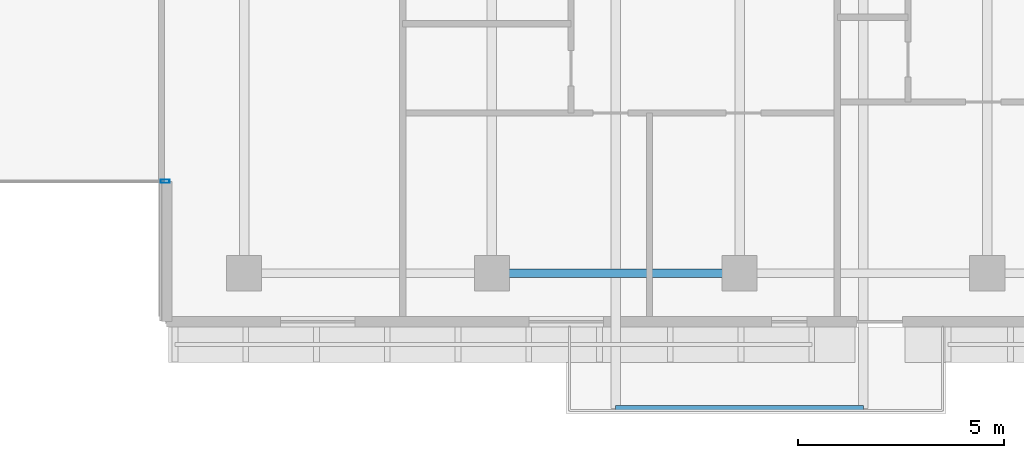
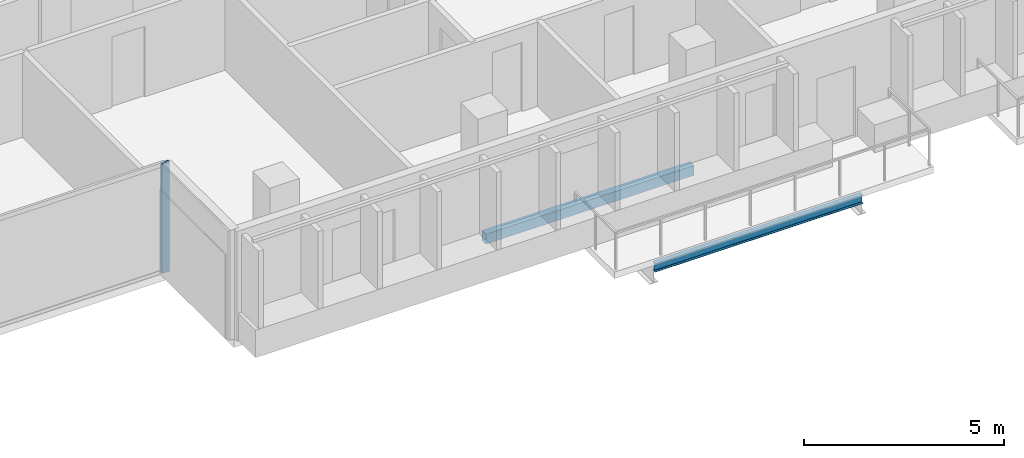
# One storey, part 6 of 31: 2 beams, 1 member, 1 element without a shape of its own.
"""IFC4 building model written with IfcOpenShell, lengths in metres."""

from ifc_helpers import new_model, si_unit, direction, frame, origin, origin_2d, place, context, subcontext, project, spatial, hollow_rectangle, i_section, extrude, material, layer, layer_set, material_profile, profile_set, type_object, element, aggregate, save


model = new_model("IFC4")

# Units and contexts
model_context = context("Model", 3, precision=1e-05, world=origin(), true_north=direction((0.0, 1.0)))
body_context = subcontext(model_context, "Body", "Model", "MODEL_VIEW")
ifc_project = project(units=[si_unit("LENGTHUNIT", "METRE"), si_unit("AREAUNIT", "SQUARE_METRE"), si_unit("VOLUMEUNIT", "CUBIC_METRE"), si_unit("PLANEANGLEUNIT", "RADIAN"), si_unit("MASSUNIT", "GRAM", prefix="KILO")], contexts=[model_context])

# Site, building, storey
site_placement = place(None, origin())
site = spatial("IfcSite", under=ifc_project, at=site_placement, CompositionType="ELEMENT")
building_placement = place(site_placement, origin())
building = spatial("IfcBuilding", under=site, at=building_placement, Name="Tanjung Sevakor Pilgrim Tower", CompositionType="ELEMENT")
storey_placement = place(building_placement, frame((0.0, 0.0, 169.2900390625)))
storey = spatial("IfcBuildingStorey", under=building, at=storey_placement, Name="L47", CompositionType="ELEMENT", Elevation=169.2900390625)

# Beams
ifc_material_1 = material(Name="Steel S355J2", Category="steel")
ifc_material_profile_1 = material_profile(ifc_material_1, i_section(OverallWidth=0.146484375, OverallDepth=0.256103515625, WebThickness=0.00634765625, FlangeThickness=0.010986328125, FilletRadius=0.007568359375, at=origin_2d()))
ifc_profile_set_1 = profile_set([ifc_material_profile_1], Name="Steel S355J2")
beam_type_1 = type_object("IfcBeamType", Name="BM-B-J6-UB_254x146x37", PredefinedType="JOIST", material=ifc_profile_set_1)
beam_1_placement = place(storey_placement, frame((63.0, 9.919921875, -0.328125), z_axis=(1.0, 0.0, 0.0), x_axis=(0.0, 1.0, 0.0)))
element("IfcBeam", 1, at=beam_1_placement, inside=storey, type_object=beam_type_1, Name="L47 Balcony Rim Tie MAIN-S2", PredefinedType="JOIST", context=body_context, shape_type="SweptSolid", body=[
    extrude(i_section(OverallWidth=0.146484375, OverallDepth=0.256103515625, WebThickness=0.00634765625, FlangeThickness=0.010986328125, FilletRadius=0.007568359375, at=origin_2d()), origin(), (0.0, 0.0, 1.0), 6.0),
])
ifc_material_2 = material(Name="Steel S355J2", Category="steel")
ifc_material_profile_2 = material_profile(ifc_material_2, hollow_rectangle(XDim=0.199951171875, YDim=0.300048828125, WallThickness=0.012451171875, at=origin_2d()))
ifc_profile_set_2 = profile_set([ifc_material_profile_2], Name="Steel S355J2")
beam_type_2 = type_object("IfcBeamType", Name="BM-B-SP3-RHS_300x200x12.5", PredefinedType="SPANDREL", material=ifc_profile_set_2)
beam_2_placement = place(storey_placement, frame((60.0, 13.199951171875, -0.3701171875), z_axis=(1.0, 0.0, 0.0), x_axis=(0.0, 1.0, 0.0)))
element("IfcBeam", 2, at=beam_2_placement, inside=storey, type_object=beam_type_2, Name="L47 Spandrel MAIN S-09", PredefinedType="SPANDREL", context=body_context, shape_type="SweptSolid", body=[
    extrude(hollow_rectangle(XDim=0.199951171875, YDim=0.300048828125, WallThickness=0.012451171875, at=origin_2d()), origin(), (0.0, 0.0, 1.0), 6.0),
])

# Curtain wall, member
ifc_material_3 = material(Name="Aluminium 6063-T6 and Low-E Glass", Category="aluminium")
ifc_layer = layer(ifc_material_3, 0.179931640625)
ifc_layer_set = layer_set([ifc_layer], Name="CW-SYS-CLEFT")
curtain_wall_type = type_object("IfcCurtainWallType", Name="CW-SYS-CLEFT", PredefinedType="NOTDEFINED", material=ifc_layer_set)
curtain_wall_placement = place(storey_placement, origin())
curtain_wall = element("IfcCurtainWall", 3, at=curtain_wall_placement, inside=storey, type_object=curtain_wall_type, Name="L47 Curtain Wall CW-CLF-L47-2", PredefinedType="NOTDEFINED")
ifc_material_4 = material(Name="Aluminium 6063-T6", Category="aluminium")
ifc_material_profile_3 = material_profile(ifc_material_4, hollow_rectangle(XDim=0.074951171875, YDim=0.219970703125, WallThickness=0.0048828125, at=origin_2d()))
ifc_profile_set_3 = profile_set([ifc_material_profile_3], Name="Aluminium 6063-T6")
member_type = type_object("IfcMemberType", Name="TYPE-CWM-2", PredefinedType="MULLION", material=ifc_profile_set_3)
member_placement = place(storey_placement, frame((52.08740234375, 15.425048828125, 0.0), z_axis=(0.0, 0.0, 1.0), x_axis=(0.0, 1.0, 0.0)))
member = element("IfcMember", 4, at=member_placement, type_object=member_type, Name="CW-CLF mullion 2", PredefinedType="MULLION", context=body_context, shape_type="SweptSolid", body=[
    extrude(hollow_rectangle(XDim=0.074951171875, YDim=0.219970703125, WallThickness=0.0048828125, at=origin_2d()), origin(), (0.0, 0.0, 1.0), 3.349853515625),
])
aggregate(curtain_wall, [member])

save(model, "model.ifc")
